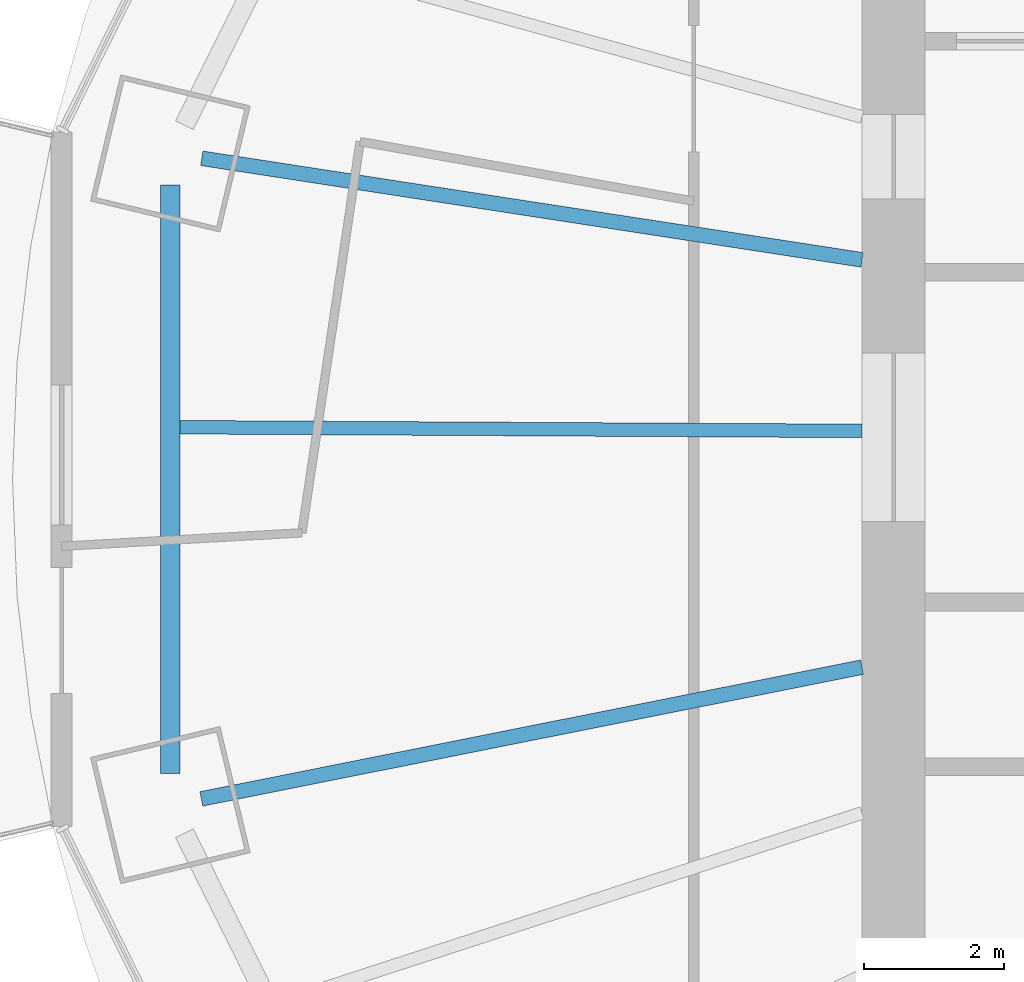
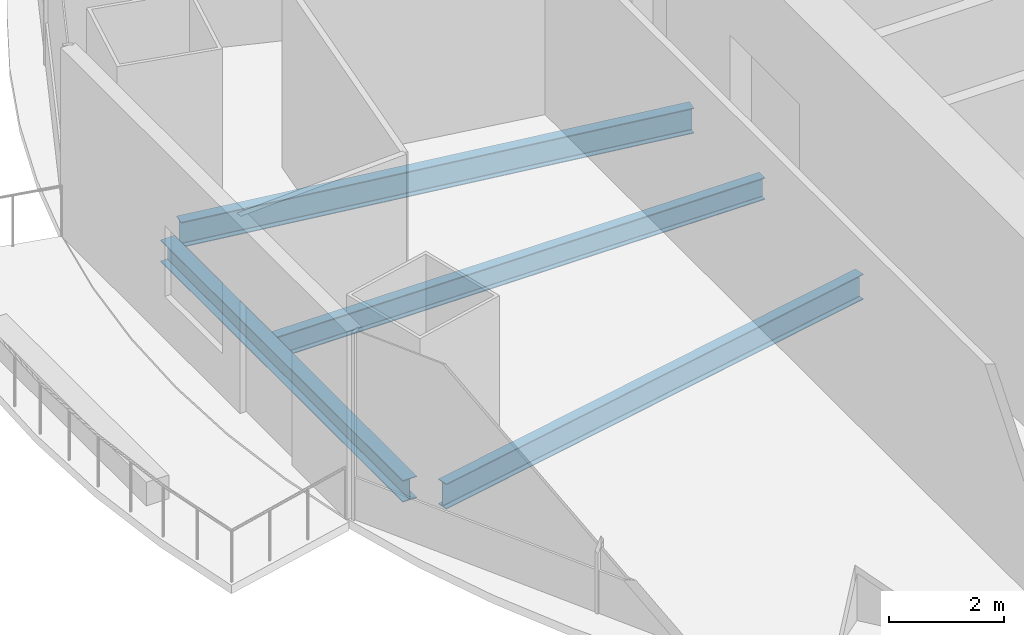
# One storey, part 3 of 19: 4 beams.
"""IFC4 building model written with IfcOpenShell, lengths in metres."""

from ifc_helpers import new_model, si_unit, direction, frame, origin, origin_2d, place, context, subcontext, project, spatial, i_section, extrude, material, material_profile, profile_set, type_object, element, save


model = new_model("IFC4")

# Units and contexts
model_context = context("Model", 3, precision=1e-05, world=origin(), true_north=direction((0.0, 1.0)))
body_context = subcontext(model_context, "Body", "Model", "MODEL_VIEW")
ifc_project = project(units=[si_unit("LENGTHUNIT", "METRE"), si_unit("AREAUNIT", "SQUARE_METRE"), si_unit("VOLUMEUNIT", "CUBIC_METRE"), si_unit("PLANEANGLEUNIT", "RADIAN"), si_unit("MASSUNIT", "GRAM", prefix="KILO")], contexts=[model_context])

# Site, building, storey
site_placement = place(None, origin())
site = spatial("IfcSite", under=ifc_project, at=site_placement, CompositionType="ELEMENT")
building_placement = place(site_placement, origin())
building = spatial("IfcBuilding", under=site, at=building_placement, Name="Marenthal Gate Tower", CompositionType="ELEMENT")
storey_placement = place(building_placement, frame((0.0, 0.0, 244.050048828125)))
storey = spatial("IfcBuildingStorey", under=building, at=storey_placement, Name="L54", CompositionType="ELEMENT", Elevation=244.050048828125)

# Beams
ifc_material_1 = material(Name="Steel S355", Category="steel")
ifc_material_profile_1 = material_profile(ifc_material_1, i_section(OverallWidth=0.279052734375, OverallDepth=0.4619140625, WebThickness=0.0107421875, FlangeThickness=0.017333984375, FilletRadius=0.010009765625, at=origin_2d()), Name="W460X113")
ifc_profile_set_1 = profile_set([ifc_material_profile_1], Name="Steel S355")
beam_type_1 = type_object("IfcBeamType", Name="W460X113 beam", PredefinedType="BEAM", material=ifc_profile_set_1)
beam_1_placement = place(storey_placement, frame((-26.314208984375, 3.595703125, -0.4111328125), z_axis=(0.0, -1.0, 0.0), x_axis=(1.0, 0.0, 0.0)))
element("IfcBeam", 1, at=beam_1_placement, inside=storey, type_object=beam_type_1, Name="BM-L54-48", PredefinedType="BEAM", context=body_context, shape_type="SweptSolid", body=[
    extrude(i_section(OverallWidth=0.279052734375, OverallDepth=0.4619140625, WebThickness=0.0107421875, FlangeThickness=0.017333984375, FilletRadius=0.010009765625, at=origin_2d()), origin(), (0.0, 0.0, 1.0), 8.3916015625),
])
ifc_material_2 = material(Name="Steel S355", Category="steel")
ifc_material_profile_2 = material_profile(ifc_material_2, i_section(OverallWidth=0.193115234375, OverallDepth=0.467041015625, WebThickness=0.011474609375, FlangeThickness=0.01904296875, FilletRadius=0.010009765625, at=origin_2d()), Name="W460X97")
ifc_profile_set_2 = profile_set([ifc_material_profile_2], Name="Steel S355")
beam_type_2 = type_object("IfcBeamType", Name="W460X97 beam", PredefinedType="BEAM", material=ifc_profile_set_2)
beam_2_placement = place(storey_placement, frame((-26.1748046875, 0.142578125, -0.41357421875), z_axis=(0.999985161371, -0.005447663496, 0.0), x_axis=(0.005447663496, 0.999985161371, 0.0)))
element("IfcBeam", 2, at=beam_2_placement, inside=storey, type_object=beam_type_2, Name="BM-L54-28", PredefinedType="BEAM", context=body_context, shape_type="SweptSolid", body=[
    extrude(i_section(OverallWidth=0.193115234375, OverallDepth=0.467041015625, WebThickness=0.011474609375, FlangeThickness=0.01904296875, FilletRadius=0.010009765625, at=origin_2d()), origin(), (0.0, 0.0, 1.0), 9.72509765625),
])
ifc_material_3 = material(Name="Steel S355", Category="steel")
ifc_material_profile_3 = material_profile(ifc_material_3, i_section(OverallWidth=0.2099609375, OverallDepth=0.535888671875, WebThickness=0.010986328125, FlangeThickness=0.017333984375, FilletRadius=0.0126953125, at=origin_2d()), Name="W530X101")
ifc_profile_set_3 = profile_set([ifc_material_profile_3], Name="Steel S355")
beam_type_3 = type_object("IfcBeamType", Name="W530X101 beam", PredefinedType="BEAM", material=ifc_profile_set_3)
beam_3_placement = place(storey_placement, frame((-25.8662109375, 3.97802734375, -0.447998046875), z_axis=(0.988378214398, -0.152014819358, 0.0), x_axis=(0.152014819358, 0.988378214398, 0.0)))
element("IfcBeam", 3, at=beam_3_placement, inside=storey, type_object=beam_type_3, Name="BM-L54-08", PredefinedType="BEAM", context=body_context, shape_type="SweptSolid", body=[
    extrude(i_section(OverallWidth=0.2099609375, OverallDepth=0.535888671875, WebThickness=0.010986328125, FlangeThickness=0.017333984375, FilletRadius=0.0126953125, at=origin_2d()), origin(), (0.0, 0.0, 1.0), 9.527099609375),
])
beam_4_placement = place(storey_placement, frame((-25.872314453125, -5.15869140625, -0.447998046875), z_axis=(0.980696805639, 0.19553458878, 0.0), x_axis=(-0.19553458878, 0.980696805639, 0.0)))
element("IfcBeam", 4, at=beam_4_placement, inside=storey, type_object=beam_type_3, Name="BM-L54-09", PredefinedType="BEAM", context=body_context, shape_type="SweptSolid", body=[
    extrude(i_section(OverallWidth=0.2099609375, OverallDepth=0.535888671875, WebThickness=0.010986328125, FlangeThickness=0.017333984375, FilletRadius=0.0126953125, at=origin_2d()), origin(), (0.0, 0.0, 1.0), 9.60791015625),
])

save(model, "model.ifc")
